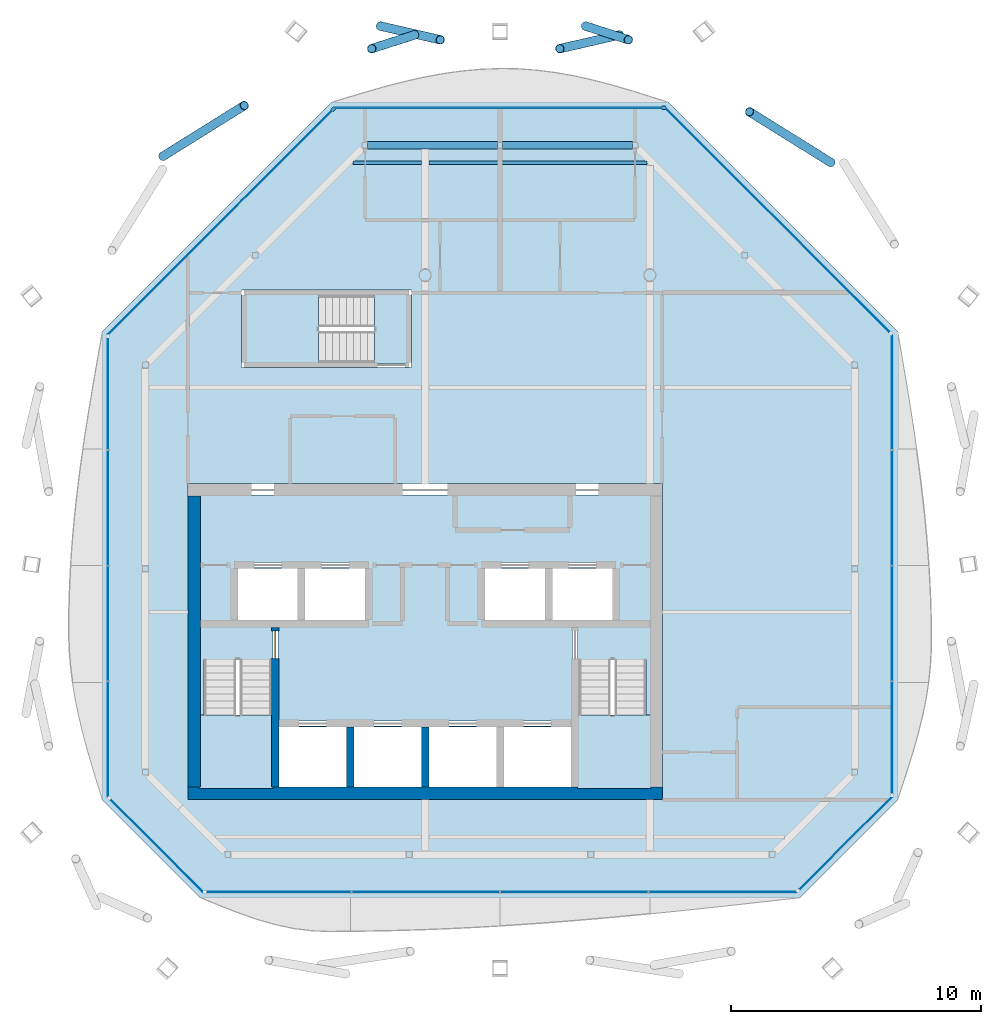
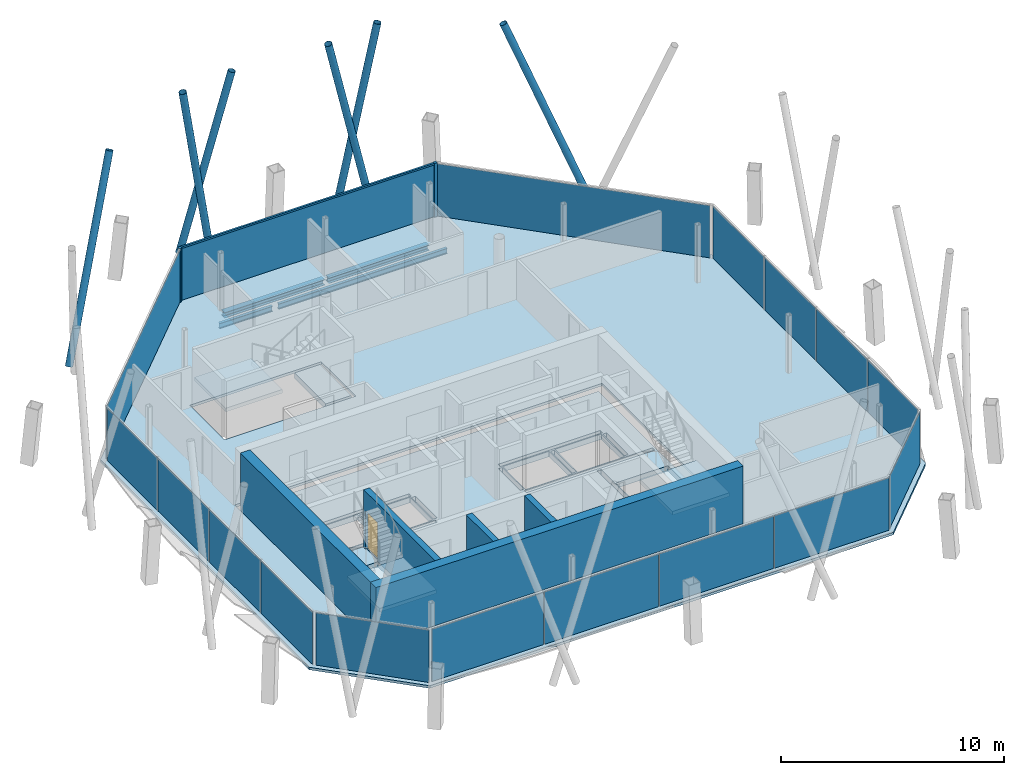
# One storey, part 8 of 13: 17 plates, 9 members, 6 slabs, 5 walls, 4 beams, 1 door, 1 opening, 11 elements without a shape of their own.
"""IFC4 building model written with IfcOpenShell, lengths in metres."""

import ifcopenshell
import ifcopenshell.guid

model = None  # the IFC model being written
_history = None  # IfcOwnerHistory: only IFC2X3 demands one
_inside = {}  # id of a spatial element -> (the spatial element, [elements in it])
_under = {}  # id of a project, library or spatial element -> (it, [spatial elements below it])
_declared = {}  # id of a project -> (the project, [libraries it declares])
_typed = {}  # id of a type object -> (the type object, [elements of that type])
_made_of = {}  # id of a material, layer set ... -> (it, [elements and type objects made of it])


def new_model(schema):
    """Start an empty IFC model of exactly this schema.

    Asked for "IFC4X3", IfcOpenShell would pick the latest addendum, in which some entities
    have other attributes; the version numbers below select the first issue.
    IFC2X3 requires an IfcOwnerHistory on every rooted entity: one is made here for all.
    """
    global model, _history
    if schema == "IFC4X3":
        model = ifcopenshell.file(schema_version=(4, 3, 0, 0))
    else:
        model = ifcopenshell.file(schema=schema)
    _inside.clear()
    _under.clear()
    _declared.clear()
    _typed.clear()
    _made_of.clear()
    _history = None
    if model.schema == "IFC2X3":
        org = make("IfcOrganization", Name="unknown")
        user = make(
            "IfcPersonAndOrganization",
            ThePerson=make("IfcPerson", FamilyName="unknown"),
            TheOrganization=org,
        )
        app = make(
            "IfcApplication",
            ApplicationDeveloper=org,
            Version="unknown",
            ApplicationFullName="unknown",
            ApplicationIdentifier="unknown",
        )
        _history = make(
            "IfcOwnerHistory",
            OwningUser=user,
            OwningApplication=app,
            ChangeAction="ADDED",
            CreationDate=0,
        )
    return model


def make(cls, **values):
    """One entity of the class cls with the attributes given. An attribute that is None is left unset."""
    return model.create_entity(
        cls, **{name: value for name, value in values.items() if value is not None}
    )


def rooted(cls, **values):
    """An entity with a GlobalId (a new one), such as an element, a storey or a relation."""
    return make(cls, GlobalId=ifcopenshell.guid.new(), OwnerHistory=_history, **values)


def si_unit(unit_type, name, prefix=None):
    """IfcSIUnit, for example si_unit("LENGTHUNIT", "METRE", prefix="MILLI")."""
    return make("IfcSIUnit", UnitType=unit_type, Prefix=prefix, Name=name)


def assignment(units):
    """IfcUnitAssignment: the units of a project."""
    return None if units is None else make("IfcUnitAssignment", Units=units)


def point(xyz):
    """IfcCartesianPoint."""
    return None if xyz is None else make("IfcCartesianPoint", Coordinates=xyz)


def direction(xyz):
    """IfcDirection."""
    return None if xyz is None else make("IfcDirection", DirectionRatios=xyz)


def frame(location, z_axis=None, x_axis=None):
    """IfcAxis2Placement3D, a coordinate frame: its origin and axes. An axis left out is left unset."""
    return make(
        "IfcAxis2Placement3D",
        Location=point(location),
        Axis=direction(z_axis),
        RefDirection=direction(x_axis),
    )


def frame_2d(location, x_axis=None):
    """IfcAxis2Placement2D, a coordinate frame in the plane: its origin and x axis."""
    return make(
        "IfcAxis2Placement2D", Location=point(location), RefDirection=direction(x_axis)
    )


def origin():
    """The frame at (0, 0, 0) with its axes left unset."""
    return frame((0.0, 0.0, 0.0))


def origin_2d():
    """The frame at (0, 0) in the plane with its x axis left unset."""
    return frame_2d((0.0, 0.0))


def place(relative_to, where):
    """IfcLocalPlacement: puts the frame where relative to a parent placement (None: the world)."""
    return make(
        "IfcLocalPlacement", PlacementRelTo=relative_to, RelativePlacement=where
    )


def context(
    kind, dimensions, precision=None, world=None, true_north=None, identifier=None
):
    """IfcGeometricRepresentationContext, for example the 3D "Model" context."""
    return make(
        "IfcGeometricRepresentationContext",
        ContextIdentifier=identifier,
        ContextType=kind,
        CoordinateSpaceDimension=dimensions,
        Precision=precision,
        WorldCoordinateSystem=world,
        TrueNorth=true_north,
    )


def subcontext(parent, identifier, kind, view, scale=None):
    """IfcGeometricRepresentationSubContext, for example "Body" below "Model"."""
    return make(
        "IfcGeometricRepresentationSubContext",
        ContextIdentifier=identifier,
        ContextType=kind,
        ParentContext=parent,
        TargetScale=scale,
        TargetView=view,
    )


def project(units=None, contexts=None):
    """IfcProject with its units and contexts."""
    return rooted(
        "IfcProject",
        Name="project",
        RepresentationContexts=contexts,
        UnitsInContext=assignment(units),
    )


def spatial(cls, under=None, at=None, **own):
    """A site, building, storey or space (cls), placed at a placement, below another one or the project."""
    s = rooted(cls, ObjectPlacement=at, **own)
    if under is not None:
        _under.setdefault(under.id(), (under, []))[1].append(s)
    return s


def polyline(points):
    """IfcPolyline through the points."""
    return make("IfcPolyline", Points=[point(p) for p in points])


def profile(cls, at=None, kind="AREA", **sizes):
    """A parametric profile (cls). Its sizes go by their IFC names, for example OverallWidth=200.0."""
    return make(cls, ProfileType=kind, Position=at, **sizes)


def rectangle(**sizes):
    """IfcRectangleProfileDef."""
    return profile("IfcRectangleProfileDef", **sizes)


def hollow_circle(**sizes):
    """IfcCircleHollowProfileDef."""
    return profile("IfcCircleHollowProfileDef", **sizes)


def i_section(**sizes):
    """IfcIShapeProfileDef."""
    return profile("IfcIShapeProfileDef", **sizes)


def outline(outer, holes=None, kind="AREA"):
    """IfcArbitraryClosedProfileDef: a profile drawn as a closed curve; with holes, ...WithVoids."""
    if holes is None:
        return make("IfcArbitraryClosedProfileDef", ProfileType=kind, OuterCurve=outer)
    return make(
        "IfcArbitraryProfileDefWithVoids",
        ProfileType=kind,
        OuterCurve=outer,
        InnerCurves=holes,
    )


def extrude(swept, where, along, depth):
    """IfcExtrudedAreaSolid: the profile swept, set in the frame where, extruded along a direction by depth."""
    return make(
        "IfcExtrudedAreaSolid",
        SweptArea=swept,
        Position=where,
        ExtrudedDirection=direction(along),
        Depth=depth,
    )


def shape(context_of_items, identifier, shape_type, items):
    """IfcShapeRepresentation: the items that make up one representation, for example the "Body"."""
    return make(
        "IfcShapeRepresentation",
        ContextOfItems=context_of_items,
        RepresentationIdentifier=identifier,
        RepresentationType=shape_type,
        Items=items,
    )


def material(Name=None, Category=None):
    """IfcMaterial."""
    return make("IfcMaterial", Name=Name, Category=Category)


def layer(
    of_material, thickness, ventilated=None, Name=None, Category=None, Priority=None
):
    """IfcMaterialLayer: one layer of a wall or slab, of a material (None: an air gap)."""
    return make(
        "IfcMaterialLayer",
        Material=of_material,
        LayerThickness=thickness,
        IsVentilated=ventilated,
        Name=Name,
        Category=Category,
        Priority=Priority,
    )


def layer_set(layers, Name=None):
    """IfcMaterialLayerSet."""
    return make("IfcMaterialLayerSet", MaterialLayers=layers, LayerSetName=Name)


def material_profile(
    of_material, cross_section, Name=None, Category=None, Priority=None
):
    """IfcMaterialProfile: a cross section and its material."""
    return make(
        "IfcMaterialProfile",
        Name=Name,
        Material=of_material,
        Profile=cross_section,
        Priority=Priority,
        Category=Category,
    )


def profile_set(profiles, Name=None, composite=None):
    """IfcMaterialProfileSet."""
    return make(
        "IfcMaterialProfileSet",
        Name=Name,
        MaterialProfiles=profiles,
        CompositeProfile=composite,
    )


def made_of(thing, what):
    """Note that an element or type object is made of a material, layer set ...; save() writes the relation."""
    if what is not None:
        _made_of.setdefault(what.id(), (what, []))[1].append(thing)
    return thing


def type_object(cls, material=None, **own):
    """A type object (cls), such as IfcWallType, which elements share."""
    return made_of(rooted(cls, **own), material)


def element(
    cls,
    number,
    at=None,
    inside=None,
    cuts=None,
    type_object=None,
    material=None,
    context=None,
    identifier="Body",
    shape_type=None,
    held_by="IfcProductDefinitionShape",
    body=None,
    shapes=None,
    **own,
):
    """One element of the class cls, such as IfcWall. Its Tag is "e" and its number.

    at: its placement. inside: the storey or other place that contains it. cuts: it is an
    opening in that element (IfcRelVoidsElement). A single representation is given by context,
    identifier, shape_type and body (its items); several are given by shapes. held_by: the class
    of the entity that holds the representations. save() writes the other relations.
    """
    e = rooted(cls, Tag="e%d" % number, ObjectPlacement=at, **own)
    if body is not None:
        shapes = [shape(context, identifier, shape_type, body)]
    if shapes is not None:
        e.Representation = make(held_by, Representations=shapes)
    if inside is not None:
        _inside.setdefault(inside.id(), (inside, []))[1].append(e)
    if cuts is not None:
        rooted(
            "IfcRelVoidsElement", RelatingBuildingElement=cuts, RelatedOpeningElement=e
        )
    if type_object is not None:
        _typed.setdefault(type_object.id(), (type_object, []))[1].append(e)
    return made_of(e, material)


def fill(opening, filler):
    """IfcRelFillsElement: the door or window that sits in an opening."""
    return rooted(
        "IfcRelFillsElement",
        RelatingOpeningElement=opening,
        RelatedBuildingElement=filler,
    )


def aggregate(whole, parts):
    """IfcRelAggregates: a whole, such as a stair, and the parts it consists of."""
    return rooted("IfcRelAggregates", RelatingObject=whole, RelatedObjects=parts)


def save(model, path):
    """Write the relations noted so far, then the file.

    IfcRelAggregates (storeys below a building ...), IfcRelContainedInSpatialStructure (elements
    in a storey), IfcRelDefinesByType, IfcRelAssociatesMaterial and IfcRelDeclares: one each for
    every whole, place, type object, material and project.
    """
    for whole, parts in _under.values():
        aggregate(whole, parts)
    for where, things in _inside.values():
        rooted(
            "IfcRelContainedInSpatialStructure",
            RelatedElements=things,
            RelatingStructure=where,
        )
    for kind, things in _typed.values():
        rooted("IfcRelDefinesByType", RelatedObjects=things, RelatingType=kind)
    for what, things in _made_of.values():
        rooted("IfcRelAssociatesMaterial", RelatedObjects=things, RelatingMaterial=what)
    for by, libraries in _declared.values():
        rooted("IfcRelDeclares", RelatingContext=by, RelatedDefinitions=libraries)
    model.write(path)


model = new_model("IFC4")

# Units and contexts
model_context = context("Model", 3, precision=1e-05, world=origin(), true_north=direction((0.0, 1.0)))
body_context = subcontext(model_context, "Body", "Model", "MODEL_VIEW")
ifc_project = project(units=[si_unit("LENGTHUNIT", "METRE"), si_unit("AREAUNIT", "SQUARE_METRE"), si_unit("VOLUMEUNIT", "CUBIC_METRE"), si_unit("PLANEANGLEUNIT", "RADIAN"), si_unit("MASSUNIT", "GRAM", prefix="KILO")], contexts=[model_context])

# Site, building, storey
site_placement = place(None, origin())
site = spatial("IfcSite", under=ifc_project, at=site_placement, CompositionType="ELEMENT")
building_placement = place(site_placement, origin())
building = spatial("IfcBuilding", under=site, at=building_placement, Name="Tskaro Facet Tower", CompositionType="ELEMENT")
storey_placement = place(building_placement, frame((0.0, 0.0, 278.39990234375)))
storey = spatial("IfcBuildingStorey", under=building, at=storey_placement, Name="L74", CompositionType="ELEMENT", Elevation=278.39990234375)

# Members
ifc_material_1 = material(Name="Steel S355J2H", Category="steel")
ifc_material_profile_1 = material_profile(ifc_material_1, hollow_circle(Radius=0.177734375, WallThickness=0.01611328125, at=origin_2d()), Name="CHS 355.6x16")
ifc_profile_set_1 = profile_set([ifc_material_profile_1], Name="Steel S355J2H")
member_type_1 = type_object("IfcMemberType", Name="CHS 355.6x16 brace", PredefinedType="BRACE", material=ifc_profile_set_1)
member_1_placement = place(storey_placement, frame((16.247802734375, 13.51123046875, 0.0), z_axis=(-0.319549238036, 0.199239620031, 0.926386451909), x_axis=(-0.529084601301, -0.848569080669, 0.0)))
element("IfcMember", 1, at=member_1_placement, inside=storey, type_object=member_type_1, Name="CHS 355.6x16 XB06A/6", PredefinedType="BRACE", context=body_context, shape_type="SweptSolid", body=[
    extrude(hollow_circle(Radius=0.177734375, WallThickness=0.01611328125, at=origin_2d()), origin(), (0.0, 0.0, 1.0), 10.201171875),
])
member_2_placement = place(storey_placement, frame((7.785888671875, 18.61962890625, 0.0), z_axis=(-0.245070961702, -0.056085518528, 0.967881520819), x_axis=(0.223086751277, -0.974798595303, 0.0)))
element("IfcMember", 2, at=member_2_placement, inside=storey, type_object=member_type_1, Name="CHS 355.6x16 XB07A/6", PredefinedType="BRACE", context=body_context, shape_type="SweptSolid", body=[
    extrude(hollow_circle(Radius=0.177734375, WallThickness=0.01611328125, at=origin_2d()), origin(), (0.0, 0.0, 1.0), 9.763671875),
])
for number, where, z_axis, x_axis, name in (
    (3, (6.427001953125, 18.975341796875, 0.0), (0.178108224857, -0.056949965315, 0.982361522907), (0.304559037582, 0.952493460674, 0.0), "CHS 355.6x16 XB07B/6"),
    (4, (-0.427001953125, 18.61962890625, 0.0), (-0.178108482224, -0.056924668798, 0.982362942421), (0.304435897463, -0.952532825857, 0.0), "CHS 355.6x16 XB08A/6"),
):
    element("IfcMember", number, at=place(storey_placement, frame(where, z_axis=z_axis, x_axis=x_axis)), inside=storey, type_object=member_type_1, Name=name, PredefinedType="BRACE", context=body_context, shape_type="SweptSolid", body=[
        extrude(hollow_circle(Radius=0.177734375, WallThickness=0.01611328125, at=origin_2d()), origin(), (0.0, 0.0, 1.0), 9.619873046875),
    ])
member_3_placement = place(storey_placement, frame((-1.785888671875, 18.975341796875, 0.0), z_axis=(0.245070617938, -0.056110444511, 0.967880163161), x_axis=(0.223181257376, 0.974776962364, 0.0)))
element("IfcMember", 5, at=member_3_placement, inside=storey, type_object=member_type_1, Name="CHS 355.6x16 XB08B/6", PredefinedType="BRACE", context=body_context, shape_type="SweptSolid", body=[
    extrude(hollow_circle(Radius=0.177734375, WallThickness=0.01611328125, at=origin_2d()), origin(), (0.0, 0.0, 1.0), 9.763916015625),
])
member_4_placement = place(storey_placement, frame((-10.499267578125, 13.7626953125, 0.0), z_axis=(0.319549238036, 0.199239620031, 0.926386451909), x_axis=(-0.529084601301, 0.848569080669, 0.0)))
element("IfcMember", 6, at=member_4_placement, inside=storey, type_object=member_type_1, Name="CHS 355.6x16 XB09B/6", PredefinedType="BRACE", context=body_context, shape_type="SweptSolid", body=[
    extrude(hollow_circle(Radius=0.177734375, WallThickness=0.01611328125, at=origin_2d()), origin(), (0.0, 0.0, 1.0), 10.201171875),
])

# Curtain wall, member
ifc_material_2 = material(Name="Bronze anodised aluminium 6063-T6", Category="aluminium")
curtain_wall_type = type_object("IfcCurtainWallType", Name="Bronze residence curtain wall (FW3)", PredefinedType="NOTDEFINED", material=ifc_material_2)
curtain_wall_1_placement = place(storey_placement, origin())
curtain_wall_1 = element("IfcCurtainWall", 7, at=curtain_wall_1_placement, inside=storey, type_object=curtain_wall_type, Name="FW3 north facet L74", PredefinedType="NOTDEFINED")
ifc_material_profile_2 = material_profile(ifc_material_2, rectangle(XDim=0.139892578125, YDim=0.139892578125, at=origin_2d()), Name="Corner post 140x140")
ifc_profile_set_2 = profile_set([ifc_material_profile_2], Name="Bronze anodised aluminium 6063-T6")
member_type_2 = type_object("IfcMemberType", Name="FW3 bronze corner post 140x140", PredefinedType="MULLION", material=ifc_profile_set_2)
member_5_placement = place(storey_placement, frame((9.555908203125, 15.697998046875, 0.0), z_axis=(0.0, 0.0, 1.0), x_axis=(-1.0, 0.0, 0.0)))
member_5 = element("IfcMember", 8, at=member_5_placement, type_object=member_type_2, Name="FW3 north corner post", PredefinedType="MULLION", context=body_context, shape_type="SweptSolid", body=[
    extrude(rectangle(XDim=0.139892578125, YDim=0.139892578125, at=origin_2d()), origin(), (0.0, 0.0, 1.0), 2.9501953125),
])

curtain_wall_2_placement = place(storey_placement, origin())
curtain_wall_2 = element("IfcCurtainWall", 9, at=curtain_wall_2_placement, inside=storey, type_object=curtain_wall_type, Name="FW3 north-west facet L74", PredefinedType="NOTDEFINED")
member_6_placement = place(storey_placement, frame((-3.675537109375, 15.6484375, 0.0), z_axis=(0.0, 0.0, 1.0), x_axis=(-0.707106781187, -0.707106781187, 0.0)))
member_6 = element("IfcMember", 10, at=member_6_placement, type_object=member_type_2, Name="FW3 north-west corner post", PredefinedType="MULLION", context=body_context, shape_type="SweptSolid", body=[
    extrude(rectangle(XDim=0.139892578125, YDim=0.139892578125, at=origin_2d()), origin(), (0.0, 0.0, 1.0), 2.9501953125),
])

# Member
ifc_material_profile_3 = material_profile(ifc_material_2, rectangle(XDim=0.10009765625, YDim=0.090087890625, at=origin_2d()), Name="Transom 100x90")
ifc_profile_set_3 = profile_set([ifc_material_profile_3], Name="Bronze anodised aluminium 6063-T6")
member_type_3 = type_object("IfcMemberType", Name="FW3 bronze transom 100x90", PredefinedType="USERDEFINED", material=ifc_profile_set_3)
member_7_placement = place(storey_placement, frame((9.486083984375, 15.697998046875, 2.905029296875), z_axis=(-1.0, 0.0, 0.0), x_axis=(0.0, -1.0, 0.0)))
member_7 = element("IfcMember", 11, at=member_7_placement, type_object=member_type_3, Name="FW3 north transom 1.1", ObjectType="TRANSOM", PredefinedType="USERDEFINED", context=body_context, shape_type="SweptSolid", body=[
    extrude(rectangle(XDim=0.10009765625, YDim=0.090087890625, at=origin_2d()), origin(), (0.0, 0.0, 1.0), 13.112060546875),
])

# Beams
ifc_material_3 = material(Name="Steel S355J2", Category="steel")
ifc_material_profile_4 = material_profile(ifc_material_3, i_section(OverallWidth=0.300048828125, OverallDepth=0.300048828125, WebThickness=0.010986328125, FlangeThickness=0.01904296875, FilletRadius=0.027099609375, at=origin_2d()), Name="HE 300 B")
ifc_profile_set_4 = profile_set([ifc_material_profile_4], Name="Steel S355J2")
beam_type_1 = type_object("IfcBeamType", Name="HE 300 B ring beam", PredefinedType="BEAM", material=ifc_profile_set_4)
for number, where, z_axis, x_axis, name in (
    (12, (8.298095703125, 14.199951171875, -0.289794921875), (-1.0, 0.0, 0.0), (0.0, -1.0, 0.0), "HE 300 B EB9-6"),
    (13, (2.89501953125, 14.199951171875, -0.289794921875), (-1.0, 0.0, 0.0), (0.0, -1.0, 0.0), "HE 300 B EB10-6"),
):
    element("IfcBeam", number, at=place(storey_placement, frame(where, z_axis=z_axis, x_axis=x_axis)), inside=storey, type_object=beam_type_1, Name=name, PredefinedType="BEAM", context=body_context, shape_type="SweptSolid", body=[
        extrude(i_section(OverallWidth=0.300048828125, OverallDepth=0.300048828125, WebThickness=0.010986328125, FlangeThickness=0.01904296875, FilletRadius=0.027099609375, at=origin_2d()), origin(), (0.0, 0.0, 1.0), 5.193115234375),
    ])
ifc_material_profile_5 = material_profile(ifc_material_3, i_section(OverallWidth=0.14990234375, OverallDepth=0.300048828125, WebThickness=0.007080078125, FlangeThickness=0.0107421875, FilletRadius=0.014892578125, at=origin_2d()), Name="IPE 300")
ifc_profile_set_5 = profile_set([ifc_material_profile_5], Name="Steel S355J2")
beam_type_2 = type_object("IfcBeamType", Name="IPE 300 secondary beam", PredefinedType="BEAM", material=ifc_profile_set_5)
beam_1_placement = place(storey_placement, frame((-2.89111328125, 13.5, -0.289794921875), z_axis=(1.0, 0.0, 0.0), x_axis=(0.0, 1.0, 0.0)))
element("IfcBeam", 14, at=beam_1_placement, inside=storey, type_object=beam_type_2, Name="IPE 300 SB5a-1-6", PredefinedType="BEAM", context=body_context, shape_type="SweptSolid", body=[
    extrude(i_section(OverallWidth=0.14990234375, OverallDepth=0.300048828125, WebThickness=0.007080078125, FlangeThickness=0.0107421875, FilletRadius=0.014892578125, at=origin_2d()), origin(), (0.0, 0.0, 1.0), 2.7412109375),
])
beam_2_placement = place(storey_placement, frame((0.14990234375, 13.5, -0.289794921875), z_axis=(1.0, 0.0, 0.0), x_axis=(0.0, 1.0, 0.0)))
element("IfcBeam", 15, at=beam_2_placement, inside=storey, type_object=beam_type_2, Name="IPE 300 SB5a-2-6", PredefinedType="BEAM", context=body_context, shape_type="SweptSolid", body=[
    extrude(i_section(OverallWidth=0.14990234375, OverallDepth=0.300048828125, WebThickness=0.007080078125, FlangeThickness=0.0107421875, FilletRadius=0.014892578125, at=origin_2d()), origin(), (0.0, 0.0, 1.0), 8.7412109375),
])

# Slab
ifc_material_4 = material(Name="Concrete C30/37", Category="concrete")
ifc_layer_1 = layer(ifc_material_4, 0.139892578125, Name="Concrete C30/37")
ifc_layer_set_1 = layer_set([ifc_layer_1], Name="Concrete C30/37")
slab_type_1 = type_object("IfcSlabType", Name="Composite deck floor slab", PredefinedType="FLOOR", material=ifc_layer_set_1)
slab_1_placement = place(storey_placement, frame((0.0, 0.0, -0.139892578125)))
element("IfcSlab", 16, at=slab_1_placement, inside=storey, type_object=slab_type_1, Name="Floor slab FS3 L74", PredefinedType="FLOOR", context=body_context, shape_type="SweptSolid", body=[
    extrude(outline(polyline([(-8.990966796875, -15.947998046875), (14.990966796875, -15.947998046875), (18.947998046875, -11.990966796875), (18.947998046875, 6.72998046875), (9.72998046875, 15.947998046875), (-3.72998046875, 15.947998046875), (-12.947998046875, 6.72998046875), (-12.947998046875, -11.990966796875), (-8.990966796875, -15.947998046875)]), holes=[polyline([(-9.5, -12.0), (9.5, -12.0), (9.5, 0.64990234375), (-9.5, 0.64990234375), (-9.5, -12.0)]), polyline([(-7.35009765625, 5.300048828125), (-0.550048828125, 5.300048828125), (-0.550048828125, 8.39990234375), (-7.35009765625, 8.39990234375), (-7.35009765625, 5.300048828125)])]), origin(), (0.0, 0.0, 1.0), 0.139892578125),
])

# Curtain wall, plates
curtain_wall_3_placement = place(storey_placement, origin())
curtain_wall_3 = element("IfcCurtainWall", 17, at=curtain_wall_3_placement, inside=storey, type_object=curtain_wall_type, Name="FW3 south facet L74", PredefinedType="NOTDEFINED")
ifc_material_5 = material(Name="Bronze low-iron glass", Category="glass")
ifc_layer_2 = layer(ifc_material_5, 0.028076171875, Name="Bronze low-iron glass")
ifc_layer_set_2 = layer_set([ifc_layer_2], Name="Bronze low-iron glass")
plate_type = type_object("IfcPlateType", Name="FW3 bronze-tinted unit glazing 28", PredefinedType="CURTAIN_PANEL", material=ifc_layer_set_2)
plate_1_placement = place(storey_placement, frame((-5.857666015625, -15.697998046875, 0.0), z_axis=(0.0, 0.0, 1.0), x_axis=(1.0, 0.0, 0.0)))
plate_1 = element("IfcPlate", 18, at=plate_1_placement, type_object=plate_type, Name="FW3 south glazing 1.1", PredefinedType="CURTAIN_PANEL", context=body_context, shape_type="SweptSolid", body=[
    extrude(rectangle(XDim=5.778564453125, YDim=0.028076171875, at=origin_2d()), origin(), (0.0, 0.0, 1.0), 2.860107421875),
])
plate_2_placement = place(storey_placement, frame((0.0283203125, -15.697998046875, 0.0), z_axis=(0.0, 0.0, 1.0), x_axis=(1.0, 0.0, 0.0)))
plate_2 = element("IfcPlate", 19, at=plate_2_placement, type_object=plate_type, Name="FW3 south glazing 2.1", PredefinedType="CURTAIN_PANEL", context=body_context, shape_type="SweptSolid", body=[
    extrude(rectangle(XDim=5.8935546875, YDim=0.028076171875, at=origin_2d()), origin(), (0.0, 0.0, 1.0), 2.860107421875),
])
plate_3_placement = place(storey_placement, frame((5.9716796875, -15.697998046875, 0.0), z_axis=(0.0, 0.0, 1.0), x_axis=(1.0, 0.0, 0.0)))
plate_3 = element("IfcPlate", 20, at=plate_3_placement, type_object=plate_type, Name="FW3 south glazing 3.1", PredefinedType="CURTAIN_PANEL", context=body_context, shape_type="SweptSolid", body=[
    extrude(rectangle(XDim=5.8935546875, YDim=0.028076171875, at=origin_2d()), origin(), (0.0, 0.0, 1.0), 2.860107421875),
])
plate_4_placement = place(storey_placement, frame((11.927734375, -15.697998046875, 0.0), z_axis=(0.0, 0.0, 1.0), x_axis=(1.0, 0.0, 0.0)))
plate_4 = element("IfcPlate", 21, at=plate_4_placement, type_object=plate_type, Name="FW3 south glazing 4.1", PredefinedType="CURTAIN_PANEL", context=body_context, shape_type="SweptSolid", body=[
    extrude(rectangle(XDim=5.91845703125, YDim=0.028076171875, at=origin_2d()), origin(), (0.0, 0.0, 1.0), 2.860107421875),
])
aggregate(curtain_wall_3, [plate_1, plate_2, plate_3, plate_4])

# Curtain wall, plate
curtain_wall_4_placement = place(storey_placement, origin())
curtain_wall_4 = element("IfcCurtainWall", 22, at=curtain_wall_4_placement, inside=storey, type_object=curtain_wall_type, Name="FW3 south-east facet L74", PredefinedType="NOTDEFINED")
plate_5_placement = place(storey_placement, frame((16.842041015625, -13.742919921875, 0.0), z_axis=(0.0, 0.0, 1.0), x_axis=(0.707106781187, 0.707106781187, 0.0)))
plate_5 = element("IfcPlate", 23, at=plate_5_placement, type_object=plate_type, Name="FW3 south-east glazing 1.1", PredefinedType="CURTAIN_PANEL", context=body_context, shape_type="SweptSolid", body=[
    extrude(rectangle(XDim=5.24951171875, YDim=0.028076171875, at=origin_2d()), origin(), (0.0, 0.0, 1.0), 2.860107421875),
])
aggregate(curtain_wall_4, [plate_5])

# Curtain wall, plates
curtain_wall_5_placement = place(storey_placement, origin())
curtain_wall_5 = element("IfcCurtainWall", 24, at=curtain_wall_5_placement, inside=storey, type_object=curtain_wall_type, Name="FW3 east facet L74", PredefinedType="NOTDEFINED")
plate_6_placement = place(storey_placement, frame((18.697998046875, -9.515380859375, 0.0), z_axis=(0.0, 0.0, 1.0), x_axis=(0.0, 1.0, 0.0)))
plate_6 = element("IfcPlate", 25, at=plate_6_placement, type_object=plate_type, Name="FW3 east glazing 1.1", PredefinedType="CURTAIN_PANEL", context=body_context, shape_type="SweptSolid", body=[
    extrude(rectangle(XDim=4.463134765625, YDim=0.028076171875, at=origin_2d()), origin(), (0.0, 0.0, 1.0), 2.860107421875),
])
plate_7_placement = place(storey_placement, frame((18.697998046875, -4.944580078125, 0.0), z_axis=(0.0, 0.0, 1.0), x_axis=(0.0, 1.0, 0.0)))
plate_7 = element("IfcPlate", 26, at=plate_7_placement, type_object=plate_type, Name="FW3 east glazing 2.1", PredefinedType="CURTAIN_PANEL", context=body_context, shape_type="SweptSolid", body=[
    extrude(rectangle(XDim=4.578369140625, YDim=0.028076171875, at=origin_2d()), origin(), (0.0, 0.0, 1.0), 2.860107421875),
])
plate_8_placement = place(storey_placement, frame((18.697998046875, -0.31640625, 0.0), z_axis=(0.0, 0.0, 1.0), x_axis=(0.0, 1.0, 0.0)))
plate_8 = element("IfcPlate", 27, at=plate_8_placement, type_object=plate_type, Name="FW3 east glazing 3.1", PredefinedType="CURTAIN_PANEL", context=body_context, shape_type="SweptSolid", body=[
    extrude(rectangle(XDim=4.578369140625, YDim=0.028076171875, at=origin_2d()), origin(), (0.0, 0.0, 1.0), 2.860107421875),
])
plate_9_placement = place(storey_placement, frame((18.697998046875, 4.324462890625, 0.0), z_axis=(0.0, 0.0, 1.0), x_axis=(0.0, 1.0, 0.0)))
plate_9 = element("IfcPlate", 28, at=plate_9_placement, type_object=plate_type, Name="FW3 east glazing 4.1", PredefinedType="CURTAIN_PANEL", context=body_context, shape_type="SweptSolid", body=[
    extrude(rectangle(XDim=4.603271484375, YDim=0.028076171875, at=origin_2d()), origin(), (0.0, 0.0, 1.0), 2.860107421875),
])
aggregate(curtain_wall_5, [plate_6, plate_7, plate_8, plate_9])

# Curtain wall, plate
curtain_wall_6_placement = place(storey_placement, origin())
curtain_wall_6 = element("IfcCurtainWall", 29, at=curtain_wall_6_placement, inside=storey, type_object=curtain_wall_type, Name="FW3 north-east facet L74", PredefinedType="NOTDEFINED")
plate_10_placement = place(storey_placement, frame((14.112548828125, 11.21142578125, 0.0), z_axis=(0.0, 0.0, 1.0), x_axis=(-0.707106781187, 0.707106781187, 0.0)))
plate_10 = element("IfcPlate", 30, at=plate_10_placement, type_object=plate_type, Name="FW3 north-east glazing 1.1", PredefinedType="CURTAIN_PANEL", context=body_context, shape_type="SweptSolid", body=[
    extrude(rectangle(XDim=12.689697265625, YDim=0.028076171875, at=origin_2d()), origin(), (0.0, 0.0, 1.0), 2.860107421875),
])
aggregate(curtain_wall_6, [plate_10])

# Plate
plate_11_placement = place(storey_placement, frame((2.929931640625, 15.697998046875, 0.0), z_axis=(0.0, 0.0, 1.0), x_axis=(-1.0, 0.0, 0.0)))
plate_11 = element("IfcPlate", 31, at=plate_11_placement, type_object=plate_type, Name="FW3 north glazing 1.1", PredefinedType="CURTAIN_PANEL", context=body_context, shape_type="SweptSolid", body=[
    extrude(rectangle(XDim=13.112060546875, YDim=0.028076171875, at=origin_2d()), origin(), (0.0, 0.0, 1.0), 2.860107421875),
])

aggregate(curtain_wall_1, [member_5, member_7, plate_11])

plate_12_placement = place(storey_placement, frame((-8.21142578125, 11.112548828125, 0.0), z_axis=(0.0, 0.0, 1.0), x_axis=(-0.707106781187, -0.707106781187, 0.0)))
plate_12 = element("IfcPlate", 32, at=plate_12_placement, type_object=plate_type, Name="FW3 north-west glazing 1.1", PredefinedType="CURTAIN_PANEL", context=body_context, shape_type="SweptSolid", body=[
    extrude(rectangle(XDim=12.689697265625, YDim=0.028076171875, at=origin_2d()), origin(), (0.0, 0.0, 1.0), 2.860107421875),
])

aggregate(curtain_wall_2, [member_6, plate_12])

# Curtain wall, plates
curtain_wall_7_placement = place(storey_placement, origin())
curtain_wall_7 = element("IfcCurtainWall", 33, at=curtain_wall_7_placement, inside=storey, type_object=curtain_wall_type, Name="FW3 west facet L74", PredefinedType="NOTDEFINED")
plate_13_placement = place(storey_placement, frame((-12.697998046875, 4.25439453125, 0.0), z_axis=(0.0, 0.0, 1.0), x_axis=(0.0, -1.0, 0.0)))
plate_13 = element("IfcPlate", 34, at=plate_13_placement, type_object=plate_type, Name="FW3 west glazing 1.1", PredefinedType="CURTAIN_PANEL", context=body_context, shape_type="SweptSolid", body=[
    extrude(rectangle(XDim=4.463134765625, YDim=0.028076171875, at=origin_2d()), origin(), (0.0, 0.0, 1.0), 2.860107421875),
])
plate_14_placement = place(storey_placement, frame((-12.697998046875, -0.31640625, 0.0), z_axis=(0.0, 0.0, 1.0), x_axis=(0.0, -1.0, 0.0)))
plate_14 = element("IfcPlate", 35, at=plate_14_placement, type_object=plate_type, Name="FW3 west glazing 2.1", PredefinedType="CURTAIN_PANEL", context=body_context, shape_type="SweptSolid", body=[
    extrude(rectangle(XDim=4.578369140625, YDim=0.028076171875, at=origin_2d()), origin(), (0.0, 0.0, 1.0), 2.860107421875),
])
plate_15_placement = place(storey_placement, frame((-12.697998046875, -4.944580078125, 0.0), z_axis=(0.0, 0.0, 1.0), x_axis=(0.0, -1.0, 0.0)))
plate_15 = element("IfcPlate", 36, at=plate_15_placement, type_object=plate_type, Name="FW3 west glazing 3.1", PredefinedType="CURTAIN_PANEL", context=body_context, shape_type="SweptSolid", body=[
    extrude(rectangle(XDim=4.578369140625, YDim=0.028076171875, at=origin_2d()), origin(), (0.0, 0.0, 1.0), 2.860107421875),
])
plate_16_placement = place(storey_placement, frame((-12.697998046875, -9.58544921875, 0.0), z_axis=(0.0, 0.0, 1.0), x_axis=(0.0, -1.0, 0.0)))
plate_16 = element("IfcPlate", 37, at=plate_16_placement, type_object=plate_type, Name="FW3 west glazing 4.1", PredefinedType="CURTAIN_PANEL", context=body_context, shape_type="SweptSolid", body=[
    extrude(rectangle(XDim=4.603271484375, YDim=0.028076171875, at=origin_2d()), origin(), (0.0, 0.0, 1.0), 2.860107421875),
])
aggregate(curtain_wall_7, [plate_13, plate_14, plate_15, plate_16])

# Curtain wall, plate
curtain_wall_8_placement = place(storey_placement, origin())
curtain_wall_8 = element("IfcCurtainWall", 38, at=curtain_wall_8_placement, inside=storey, type_object=curtain_wall_type, Name="FW3 south-west facet L74", PredefinedType="NOTDEFINED")
plate_17_placement = place(storey_placement, frame((-10.742919921875, -13.842041015625, 0.0), z_axis=(0.0, 0.0, 1.0), x_axis=(0.707106781187, -0.707106781187, 0.0)))
plate_17 = element("IfcPlate", 39, at=plate_17_placement, type_object=plate_type, Name="FW3 south-west glazing 1.1", PredefinedType="CURTAIN_PANEL", context=body_context, shape_type="SweptSolid", body=[
    extrude(rectangle(XDim=5.24951171875, YDim=0.028076171875, at=origin_2d()), origin(), (0.0, 0.0, 1.0), 2.860107421875),
])
aggregate(curtain_wall_8, [plate_17])

# Stair, slab
ifc_material_6 = material(Name="Concrete C40/50", Category="concrete")
stair_type = type_object("IfcStairType", Name="ST-TWR", PredefinedType="HALF_TURN_STAIR", material=ifc_material_6)
stair_1_placement = place(storey_placement, origin())
stair_1 = element("IfcStair", 40, at=stair_1_placement, inside=storey, type_object=stair_type, Name="L74 Exit stair 1", PredefinedType="HALF_TURN_STAIR")
ifc_layer_3 = layer(ifc_material_6, 0.199951171875, Name="Concrete C40/50")
ifc_layer_set_3 = layer_set([ifc_layer_3], Name="Concrete C40/50")
slab_type_2 = type_object("IfcSlabType", Name="SL-LANDING", PredefinedType="LANDING", material=ifc_layer_set_3)
slab_2_placement = place(storey_placement, frame((0.0, 0.0, 1.375)))
slab_2 = element("IfcSlab", 41, at=slab_2_placement, type_object=slab_type_2, Name="ST-1 landing 1", PredefinedType="LANDING", context=body_context, shape_type="SweptSolid", body=[
    extrude(outline(polyline([(-9.050048828125, -11.550048828125), (-6.10009765625, -11.550048828125), (-6.10009765625, -8.614990234375), (-9.050048828125, -8.614990234375), (-9.050048828125, -11.550048828125)])), origin(), (0.0, 0.0, 1.0), 0.2001953125),
])
aggregate(stair_1, [slab_2])

stair_2_placement = place(storey_placement, origin())
stair_2 = element("IfcStair", 42, at=stair_2_placement, inside=storey, type_object=stair_type, Name="L74 Exit stair 2", PredefinedType="HALF_TURN_STAIR")
slab_3_placement = place(storey_placement, frame((0.0, 0.0, 1.375)))
slab_3 = element("IfcSlab", 43, at=slab_3_placement, type_object=slab_type_2, Name="ST-2 landing 1", PredefinedType="LANDING", context=body_context, shape_type="SweptSolid", body=[
    extrude(outline(polyline([(6.10009765625, -11.550048828125), (9.050048828125, -11.550048828125), (9.050048828125, -8.614990234375), (6.10009765625, -8.614990234375), (6.10009765625, -11.550048828125)])), origin(), (0.0, 0.0, 1.0), 0.2001953125),
])
aggregate(stair_2, [slab_3])

stair_3_placement = place(storey_placement, origin())
stair_3 = element("IfcStair", 44, at=stair_3_placement, inside=storey, type_object=stair_type, Name="L74 Exit stair 3", PredefinedType="HALF_TURN_STAIR")
slab_4_placement = place(storey_placement, frame((0.0, 0.0, 1.375)))
slab_4 = element("IfcSlab", 45, at=slab_4_placement, type_object=slab_type_2, Name="ST-3 landing 1", PredefinedType="LANDING", context=body_context, shape_type="SweptSolid", body=[
    extrude(outline(polyline([(-7.199951171875, 5.449951171875), (-4.264892578125, 5.449951171875), (-4.264892578125, 8.25), (-7.199951171875, 8.25), (-7.199951171875, 5.449951171875)])), origin(), (0.0, 0.0, 1.0), 0.2001953125),
])
aggregate(stair_3, [slab_4])

# Slabs
ifc_material_7 = material(Name="Concrete C60/75", Category="concrete")
ifc_layer_4 = layer(ifc_material_7, 0.300048828125, Name="Concrete C60/75")
ifc_layer_set_4 = layer_set([ifc_layer_4], Name="Concrete C60/75")
slab_type_3 = type_object("IfcSlabType", Name="SLAB-CORE", PredefinedType="FLOOR", material=ifc_layer_set_4)
slab_5_placement = place(storey_placement, frame((0.0, 0.0, -0.2998046875)))
element("IfcSlab", 46, at=slab_5_placement, inside=storey, type_object=slab_type_3, Name="Core floor slab 1", PredefinedType="FLOOR", context=body_context, shape_type="SweptSolid", body=[
    extrude(outline(polyline([(-9.050048828125, 0.199951171875), (9.050048828125, 0.199951171875), (9.050048828125, 0.10009765625), (9.050048828125, -11.449951171875), (9.050048828125, -11.550048828125), (-9.050048828125, -11.550048828125), (-9.050048828125, -11.449951171875), (-9.050048828125, 0.10009765625), (-9.050048828125, 0.199951171875)]), holes=[polyline([(-5.85009765625, -9.10009765625), (-5.85009765625, -11.5), (-3.14990234375, -11.5), (-3.14990234375, -9.10009765625), (-5.85009765625, -9.10009765625)]), polyline([(-3.10009765625, -11.449951171875), (-2.89990234375, -11.449951171875), (-2.89990234375, -9.14990234375), (-3.10009765625, -9.14990234375), (-3.10009765625, -11.449951171875)]), polyline([(-2.85009765625, -9.10009765625), (-2.85009765625, -11.5), (-0.14990234375, -11.5), (-0.14990234375, -9.10009765625), (-2.85009765625, -9.10009765625)]), polyline([(-6.10009765625, -11.449951171875), (-5.89990234375, -11.449951171875), (-5.89990234375, -5.14990234375), (-6.10009765625, -5.14990234375), (-6.10009765625, -11.449951171875)]), polyline([(-8.949951171875, -5.050048828125), (-2.300048828125, -5.050048828125), (-2.300048828125, -4.85009765625), (-8.949951171875, -4.85009765625), (-8.949951171875, -5.050048828125)]), polyline([(-7.75, -4.75), (-7.550048828125, -4.75), (-7.550048828125, -2.800048828125), (-7.75, -2.800048828125), (-7.75, -4.75)]), polyline([(-7.5, -4.800048828125), (-5.10009765625, -4.800048828125), (-5.10009765625, -2.75), (-7.5, -2.75), (-7.5, -4.800048828125)]), polyline([(-5.050048828125, -4.75), (-4.85009765625, -4.75), (-4.85009765625, -2.800048828125), (-5.050048828125, -2.800048828125), (-5.050048828125, -4.75)]), polyline([(-2.39990234375, -4.800048828125), (-2.39990234375, -2.75), (-4.800048828125, -2.75), (-4.800048828125, -4.800048828125), (-2.39990234375, -4.800048828125)]), polyline([(-2.35009765625, -4.75), (-2.14990234375, -4.75), (-2.14990234375, -2.800048828125), (-2.35009765625, -2.800048828125), (-2.35009765625, -4.75)]), polyline([(-7.60009765625, -2.699951171875), (-2.300048828125, -2.699951171875), (-2.300048828125, -2.5), (-7.60009765625, -2.5), (-7.60009765625, -2.699951171875)]), polyline([(-0.10009765625, -11.449951171875), (0.10009765625, -11.449951171875), (0.10009765625, -9.14990234375), (-0.10009765625, -9.14990234375), (-0.10009765625, -11.449951171875)]), polyline([(0.14990234375, -9.10009765625), (0.14990234375, -11.5), (2.85009765625, -11.5), (2.85009765625, -9.10009765625), (0.14990234375, -9.10009765625)]), polyline([(2.89990234375, -11.449951171875), (3.10009765625, -11.449951171875), (3.10009765625, -9.14990234375), (2.89990234375, -9.14990234375), (2.89990234375, -11.449951171875)]), polyline([(3.14990234375, -9.10009765625), (3.14990234375, -11.5), (5.85009765625, -11.5), (5.85009765625, -9.10009765625), (3.14990234375, -9.10009765625)]), polyline([(-5.800048828125, -9.050048828125), (5.800048828125, -9.050048828125), (5.800048828125, -8.85009765625), (-5.800048828125, -8.85009765625), (-5.800048828125, -9.050048828125)]), polyline([(5.89990234375, -11.449951171875), (6.10009765625, -11.449951171875), (6.10009765625, -5.14990234375), (5.89990234375, -5.14990234375), (5.89990234375, -11.449951171875)]), polyline([(2.300048828125, -5.050048828125), (8.949951171875, -5.050048828125), (8.949951171875, -4.85009765625), (2.300048828125, -4.85009765625), (2.300048828125, -5.050048828125)]), polyline([(2.14990234375, -4.75), (2.35009765625, -4.75), (2.35009765625, -2.800048828125), (2.14990234375, -2.800048828125), (2.14990234375, -4.75)]), polyline([(4.800048828125, -2.75), (2.39990234375, -2.75), (2.39990234375, -4.800048828125), (4.800048828125, -4.800048828125), (4.800048828125, -2.75)]), polyline([(4.85009765625, -4.75), (5.050048828125, -4.75), (5.050048828125, -2.800048828125), (4.85009765625, -2.800048828125), (4.85009765625, -4.75)]), polyline([(7.5, -2.75), (5.10009765625, -2.75), (5.10009765625, -4.800048828125), (7.5, -4.800048828125), (7.5, -2.75)]), polyline([(7.550048828125, -4.75), (7.75, -4.75), (7.75, -2.800048828125), (7.550048828125, -2.800048828125), (7.550048828125, -4.75)]), polyline([(2.300048828125, -2.699951171875), (7.60009765625, -2.699951171875), (7.60009765625, -2.5), (2.300048828125, -2.5), (2.300048828125, -2.699951171875)]), polyline([(-8.85009765625, -11.5), (-6.14990234375, -11.5), (-6.14990234375, -6.39501953125), (-8.85009765625, -6.39501953125), (-8.85009765625, -11.5)]), polyline([(6.14990234375, -6.39501953125), (6.14990234375, -11.5), (8.85009765625, -11.5), (8.85009765625, -6.39501953125), (6.14990234375, -6.39501953125)])]), origin(), (0.0, 0.0, 1.0), 0.2998046875),
])
slab_6_placement = place(storey_placement, frame((0.0, 0.0, -0.2998046875)))
element("IfcSlab", 47, at=slab_6_placement, inside=storey, type_object=slab_type_3, Name="Stair 3 floor landing 1", PredefinedType="FLOOR", context=body_context, shape_type="SweptSolid", body=[
    extrude(outline(polyline([(-2.02490234375, 5.449951171875), (-0.699951171875, 5.449951171875), (-0.699951171875, 8.25), (-2.02490234375, 8.25), (-2.02490234375, 5.449951171875)])), origin(), (0.0, 0.0, 1.0), 0.2998046875),
])

# Wall, opening, door
ifc_layer_5 = layer(ifc_material_7, 0.300048828125, Name="Concrete C60/75")
ifc_layer_set_5 = layer_set([ifc_layer_5], Name="Concrete C60/75")
wall_type_1 = type_object("IfcWallType", Name="CORE-SHAFT", PredefinedType="SHEAR", material=ifc_layer_set_5)
wall_1_placement = place(storey_placement, frame((-6.0, -11.5, 0.0), z_axis=(0.0, 0.0, 1.0), x_axis=(0.0, 1.0, 0.0)))
wall_1 = element("IfcWall", 48, at=wall_1_placement, inside=storey, type_object=wall_type_1, Name="Shaft wall W025", PredefinedType="SHEAR", context=body_context, shape_type="SweptSolid", body=[
    extrude(rectangle(XDim=6.39990234375, YDim=0.300048828125, at=frame_2d((3.199951171875, 0.0))), origin(), (0.0, 0.0, 1.0), 3.150146484375),
])
opening_placement = place(wall_1_placement, frame((5.14990234375, 0.0, 0.0)))
opening = element("IfcOpeningElement", 49, at=opening_placement, cuts=wall_1, Name="Opening ST-1-D1", PredefinedType="OPENING", context=body_context, shape_type="SweptSolid", body=[
    extrude(rectangle(XDim=1.10009765625, YDim=2.10009765625, at=frame_2d((0.550048828125, 1.050048828125))), frame((0.0, 0.159912109375, 0.0), z_axis=(0.0, -1.0, 0.0), x_axis=(1.0, 0.0, 0.0)), (0.0, 0.0, 1.0), 0.320068359375),
])
ifc_material_8 = material(Name="Steel", Category="steel")
door_type = type_object("IfcDoorType", Name="D-STAIR", OperationType="NOTDEFINED", PredefinedType="DOOR", material=ifc_material_8)
door_placement = place(opening_placement, origin())
door = element("IfcDoor", 50, at=door_placement, inside=storey, type_object=door_type, Name="Stair door 1", OperationType="SINGLE_SWING_LEFT", OverallHeight=2.10009765625, OverallWidth=1.10009765625, PredefinedType="DOOR", context=body_context, shape_type="SweptSolid", body=[
    extrude(rectangle(XDim=1.10009765625, YDim=2.10009765625, at=frame_2d((0.550048828125, 1.050048828125))), frame((0.0, 0.02490234375, 0.0), z_axis=(0.0, -1.0, 0.0), x_axis=(1.0, 0.0, 0.0)), (0.0, 0.0, 1.0), 0.050048828125),
])
fill(opening, door)

# Walls
for number, where, z_axis, x_axis, name in (
    (51, (-3.0, -11.5, 0.0), (0.0, 0.0, 1.0), (0.0, 1.0, 0.0), "Shaft wall W028"),
    (52, (0.0, -11.5, 0.0), (0.0, 0.0, 1.0), (0.0, 1.0, 0.0), "Shaft wall W035"),
):
    element("IfcWall", number, at=place(storey_placement, frame(where, z_axis=z_axis, x_axis=x_axis)), inside=storey, type_object=wall_type_1, Name=name, PredefinedType="SHEAR", context=body_context, shape_type="SweptSolid", body=[
        extrude(rectangle(XDim=2.39990234375, YDim=0.300048828125, at=frame_2d((1.199951171875, 0.0))), origin(), (0.0, 0.0, 1.0), 3.150146484375),
    ])
ifc_layer_6 = layer(ifc_material_6, 0.5, Name="Concrete C40/50")
ifc_layer_set_6 = layer_set([ifc_layer_6], Name="Concrete C40/50")
wall_type_2 = type_object("IfcWallType", Name="Core wall 500", PredefinedType="SHEAR", material=ifc_layer_set_6)
wall_2_placement = place(storey_placement, frame((-9.5, -11.75, 0.0), z_axis=(0.0, 0.0, 1.0), x_axis=(1.0, 0.0, 0.0)))
element("IfcWall", 53, at=wall_2_placement, inside=storey, type_object=wall_type_2, Name="Core wall CW-Z3S", PredefinedType="SHEAR", context=body_context, shape_type="SweptSolid", body=[
    extrude(rectangle(XDim=19.0, YDim=0.5, at=frame_2d((9.5, 0.0))), origin(), (0.0, 0.0, 1.0), 3.150146484375),
])
wall_3_placement = place(storey_placement, frame((-9.25, -11.5, 0.0), z_axis=(0.0, 0.0, 1.0), x_axis=(0.0, 1.0, 0.0)))
element("IfcWall", 54, at=wall_3_placement, inside=storey, type_object=wall_type_2, Name="Core wall CW-Z3W", PredefinedType="SHEAR", context=body_context, shape_type="SweptSolid", body=[
    extrude(rectangle(XDim=11.64990234375, YDim=0.5, at=frame_2d((5.824951171875, 0.0))), origin(), (0.0, 0.0, 1.0), 3.150146484375),
])

save(model, "model.ifc")
